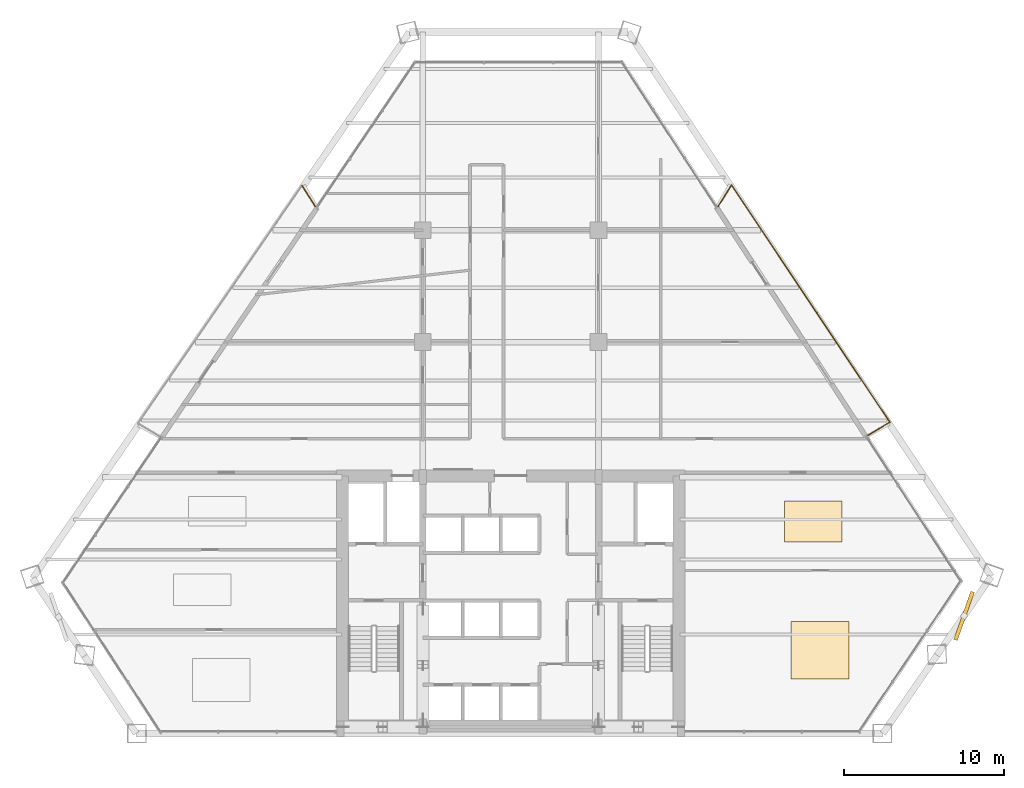
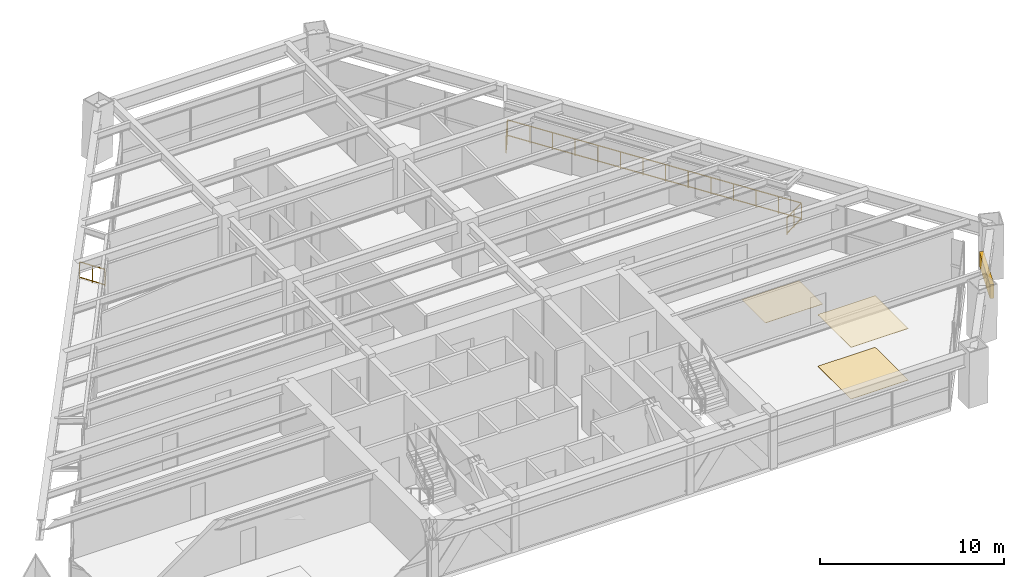
# One storey, part 14 of 14: 4 railings, 3 coverings, 1 shading device.
"""IFC4 building model written with IfcOpenShell, lengths in metres."""

from ifc_helpers import new_model, si_unit, direction, frame, origin, origin_2d, place, context, subcontext, project, spatial, rectangle, extrude, source, transform, mapped, material, layer, layer_set, type_object, type_shapes, element, save


model = new_model("IFC4")

# Units and contexts
model_context = context("Model", 3, precision=1e-05, world=origin(), true_north=direction((0.0, 1.0)))
body_context = subcontext(model_context, "Body", "Model", "MODEL_VIEW")
ifc_project = project(units=[si_unit("LENGTHUNIT", "METRE"), si_unit("AREAUNIT", "SQUARE_METRE"), si_unit("VOLUMEUNIT", "CUBIC_METRE"), si_unit("PLANEANGLEUNIT", "RADIAN"), si_unit("MASSUNIT", "GRAM", prefix="KILO")], contexts=[model_context])

# Site, building, storey
site_placement = place(None, origin())
site = spatial("IfcSite", under=ifc_project, at=site_placement, CompositionType="ELEMENT")
building_placement = place(site_placement, origin())
building = spatial("IfcBuilding", under=site, at=building_placement, Name="Varnakhor Terracotta Tower", CompositionType="ELEMENT")
storey_placement = place(building_placement, frame((0.0, 0.0, 80.300048828125)))
storey = spatial("IfcBuildingStorey", under=building, at=storey_placement, Name="L19", CompositionType="ELEMENT", Elevation=80.300048828125)

# Railings
ifc_material_1 = material(Name="Stainless Steel & Laminated Glass Guardrail", Category="steel")
railing_type = type_object("IfcRailingType", Name="RLG-LOGGIA-GUARD-1150", PredefinedType="GUARDRAIL", material=ifc_material_1)
railing_1_placement = place(storey_placement, frame((12.988037109375, 33.005615234375, 0.0)))
element("IfcRailing", 1, at=railing_1_placement, inside=storey, type_object=railing_type, Name="L19 E Loggia Glass Guard 1", PredefinedType="GUARDRAIL", context=body_context, shape_type="SweptSolid", body=[
    extrude(rectangle(XDim=0.048095703125, YDim=0.048095703125, at=origin_2d()), frame((0.0, 0.0, 1.1259765625), z_axis=(0.534973607155, 0.844868770666, 0.0), x_axis=(-0.844868770666, 0.534973607155, 0.0)), (0.0, 0.0, 1.0), 1.554443359375),
    extrude(rectangle(XDim=0.048095703125, YDim=0.048095703125, at=origin_2d()), frame((0.0, 0.0, 0.10009765625), z_axis=(0.534973607155, 0.844868770666, 0.0), x_axis=(-0.844868770666, 0.534973607155, 0.0)), (0.0, 0.0, 1.0), 1.554443359375),
    extrude(rectangle(XDim=0.0419921875, YDim=0.0419921875, at=origin_2d()), origin(), (0.0, 0.0, 1.0), 1.101806640625),
    extrude(rectangle(XDim=0.0419921875, YDim=0.0419921875, at=origin_2d()), frame((0.415771484375, 0.65673828125, 0.0)), (0.0, 0.0, 1.0), 1.101806640625),
    extrude(rectangle(XDim=0.0419921875, YDim=0.0419921875, at=origin_2d()), frame((0.83154296875, 1.313232421875, 0.0)), (0.0, 0.0, 1.0), 1.101806640625),
])
railing_2_placement = place(storey_placement, frame((13.819580078125, 34.31884765625, 0.0)))
element("IfcRailing", 2, at=railing_2_placement, inside=storey, type_object=railing_type, Name="L19 E Loggia Glass Guard 2", PredefinedType="GUARDRAIL", context=body_context, shape_type="SweptSolid", body=[
    extrude(rectangle(XDim=0.048095703125, YDim=0.048095703125, at=origin_2d()), frame((0.0, 0.0, 1.1259765625), z_axis=(0.555404385757, -0.831580403979, 0.0), x_axis=(0.831580403979, 0.555404385757, 0.0)), (0.0, 0.0, 1.0), 17.83642578125),
    extrude(rectangle(XDim=0.048095703125, YDim=0.048095703125, at=origin_2d()), frame((0.0, 0.0, 0.10009765625), z_axis=(0.555404385757, -0.831580403979, 0.0), x_axis=(0.831580403979, 0.555404385757, 0.0)), (0.0, 0.0, 1.0), 17.83642578125),
    extrude(rectangle(XDim=0.0419921875, YDim=0.0419921875, at=origin_2d()), origin(), (0.0, 0.0, 1.0), 1.101806640625),
    extrude(rectangle(XDim=0.0419921875, YDim=0.0419921875, at=origin_2d()), frame((0.761962890625, -1.140869140625, 0.0)), (0.0, 0.0, 1.0), 1.101806640625),
    extrude(rectangle(XDim=0.0419921875, YDim=0.0419921875, at=origin_2d()), frame((1.524169921875, -2.281982421875, 0.0)), (0.0, 0.0, 1.0), 1.101806640625),
    extrude(rectangle(XDim=0.0419921875, YDim=0.0419921875, at=origin_2d()), frame((2.2861328125, -3.4228515625, 0.0)), (0.0, 0.0, 1.0), 1.101806640625),
    extrude(rectangle(XDim=0.0419921875, YDim=0.0419921875, at=origin_2d()), frame((3.048095703125, -4.56396484375, 0.0)), (0.0, 0.0, 1.0), 1.101806640625),
    extrude(rectangle(XDim=0.0419921875, YDim=0.0419921875, at=origin_2d()), frame((3.810302734375, -5.704833984375, 0.0)), (0.0, 0.0, 1.0), 1.101806640625),
    extrude(rectangle(XDim=0.0419921875, YDim=0.0419921875, at=origin_2d()), frame((4.572265625, -6.845703125, 0.0)), (0.0, 0.0, 1.0), 1.101806640625),
    extrude(rectangle(XDim=0.0419921875, YDim=0.0419921875, at=origin_2d()), frame((5.334228515625, -7.98681640625, 0.0)), (0.0, 0.0, 1.0), 1.101806640625),
    extrude(rectangle(XDim=0.0419921875, YDim=0.0419921875, at=origin_2d()), frame((6.09619140625, -9.127685546875, 0.0)), (0.0, 0.0, 1.0), 1.101806640625),
    extrude(rectangle(XDim=0.0419921875, YDim=0.0419921875, at=origin_2d()), frame((6.8583984375, -10.2685546875, 0.0)), (0.0, 0.0, 1.0), 1.101806640625),
    extrude(rectangle(XDim=0.0419921875, YDim=0.0419921875, at=origin_2d()), frame((7.620361328125, -11.40966796875, 0.0)), (0.0, 0.0, 1.0), 1.101806640625),
    extrude(rectangle(XDim=0.0419921875, YDim=0.0419921875, at=origin_2d()), frame((8.38232421875, -12.550537109375, 0.0)), (0.0, 0.0, 1.0), 1.101806640625),
    extrude(rectangle(XDim=0.0419921875, YDim=0.0419921875, at=origin_2d()), frame((9.14453125, -13.691650390625, 0.0)), (0.0, 0.0, 1.0), 1.101806640625),
    extrude(rectangle(XDim=0.0419921875, YDim=0.0419921875, at=origin_2d()), frame((9.906494140625, -14.83251953125, 0.0)), (0.0, 0.0, 1.0), 1.101806640625),
])
railing_3_placement = place(storey_placement, frame((23.72607421875, 19.486328125, 0.0)))
element("IfcRailing", 3, at=railing_3_placement, inside=storey, type_object=railing_type, Name="L19 E Loggia Glass Guard 3", PredefinedType="GUARDRAIL", context=body_context, shape_type="SweptSolid", body=[
    extrude(rectangle(XDim=0.048095703125, YDim=0.048095703125, at=origin_2d()), frame((0.0, 0.0, 1.1259765625), z_axis=(-0.858569421158, -0.512697326941, 0.0), x_axis=(0.512697326941, -0.858569421158, 0.0)), (0.0, 0.0, 1.0), 1.59814453125),
    extrude(rectangle(XDim=0.048095703125, YDim=0.048095703125, at=origin_2d()), frame((0.0, 0.0, 0.10009765625), z_axis=(-0.858569421158, -0.512697326941, 0.0), x_axis=(0.512697326941, -0.858569421158, 0.0)), (0.0, 0.0, 1.0), 1.59814453125),
    extrude(rectangle(XDim=0.0419921875, YDim=0.0419921875, at=origin_2d()), origin(), (0.0, 0.0, 1.0), 1.101806640625),
    extrude(rectangle(XDim=0.0419921875, YDim=0.0419921875, at=origin_2d()), frame((-0.68603515625, -0.40966796875, 0.0)), (0.0, 0.0, 1.0), 1.101806640625),
    extrude(rectangle(XDim=0.0419921875, YDim=0.0419921875, at=origin_2d()), frame((-1.3720703125, -0.8193359375, 0.0)), (0.0, 0.0, 1.0), 1.101806640625),
])
railing_4_placement = place(storey_placement, frame((-13.0654296875, 34.2919921875, 0.0)))
element("IfcRailing", 4, at=railing_4_placement, inside=storey, type_object=railing_type, Name="L19 W Loggia Glass Guard 3", PredefinedType="GUARDRAIL", context=body_context, shape_type="SweptSolid", body=[
    extrude(rectangle(XDim=0.048095703125, YDim=0.048095703125, at=origin_2d()), frame((0.0, 0.0, 1.1259765625), z_axis=(0.535940651062, -0.844255659465, 0.0), x_axis=(0.844255659465, 0.535940651062, 0.0)), (0.0, 0.0, 1.0), 1.55517578125),
    extrude(rectangle(XDim=0.048095703125, YDim=0.048095703125, at=origin_2d()), frame((0.0, 0.0, 0.10009765625), z_axis=(0.535940651062, -0.844255659465, 0.0), x_axis=(0.844255659465, 0.535940651062, 0.0)), (0.0, 0.0, 1.0), 1.55517578125),
    extrude(rectangle(XDim=0.0419921875, YDim=0.0419921875, at=origin_2d()), origin(), (0.0, 0.0, 1.0), 1.101806640625),
    extrude(rectangle(XDim=0.0419921875, YDim=0.0419921875, at=origin_2d()), frame((0.416748046875, -0.656494140625, 0.0)), (0.0, 0.0, 1.0), 1.101806640625),
    extrude(rectangle(XDim=0.0419921875, YDim=0.0419921875, at=origin_2d()), frame((0.83349609375, -1.31298828125, 0.0)), (0.0, 0.0, 1.0), 1.101806640625),
])

# Shading device
ifc_material_2 = material(Name="Extruded Architectural Terracotta Screen", Category="masonry")
shading_device_type = type_object("IfcShadingDeviceType", Name="TERRACOTTA SOLAR SCREEN E", PredefinedType="USERDEFINED", material=ifc_material_2)
shared_shape_1 = source(origin(), body_context, "Body", "SweptSolid", [
    extrude(rectangle(XDim=3.199951171875, YDim=0.239990234375, at=origin_2d()), origin(), (0.0, 0.0, 1.0), 0.919921875),
])
type_shapes(shading_device_type, [shared_shape_1])
shading_device_placement = place(storey_placement, frame((28.37548828125, 7.36328125, 1.617919921875), z_axis=(0.0, 0.0, 1.0), x_axis=(0.335287144599, 0.942115985782, 0.0)))
element("IfcShadingDevice", 5, at=shading_device_placement, inside=storey, type_object=shading_device_type, Name="L19 E Terracotta Solar Screen", ObjectType="SCREEN", PredefinedType="USERDEFINED", context=body_context, shape_type="MappedRepresentation", body=[
    mapped(shared_shape_1, transform((0.0, 0.0, 0.0), scale=1.0)),
])

# Coverings
ifc_material_3 = material(Name="Honed Riyadh Limestone Flooring", Category="masonry")
ifc_layer_1 = layer(ifc_material_3, 0.030029296875, Name="Honed Riyadh Limestone Flooring")
ifc_layer_set_1 = layer_set([ifc_layer_1], Name="Honed Riyadh Limestone Flooring")
covering_type_1 = type_object("IfcCoveringType", Name="COV-FLOOR-LIMESTONE", PredefinedType="FLOORING", material=ifc_layer_set_1)
shared_shape_2 = source(origin(), body_context, "Body", "SweptSolid", [
    extrude(rectangle(XDim=3.60009765625, YDim=3.60009765625, at=origin_2d()), origin(), (0.0, 0.0, 1.0), 0.02001953125),
])
covering_1_placement = place(storey_placement, frame((19.35791015625, 5.201904296875, 0.0), z_axis=(0.0, 0.0, 1.0), x_axis=(1.0, 0.0, 0.0)))
element("IfcCovering", 6, at=covering_1_placement, inside=storey, type_object=covering_type_1, Name="L19 Honed Stone Flooring 2", PredefinedType="FLOORING", context=body_context, shape_type="MappedRepresentation", body=[
    mapped(shared_shape_2, transform((0.0, 0.0, 0.0), scale=1.0)),
])
ifc_material_4 = material(Name="Perforated Acoustic Mineral-Fibre Ceiling", Category="gypsum")
ifc_layer_2 = layer(ifc_material_4, 0.02490234375, Name="Perforated Acoustic Mineral-Fibre Ceiling")
ifc_layer_set_2 = layer_set([ifc_layer_2], Name="Perforated Acoustic Mineral-Fibre Ceiling")
covering_type_2 = type_object("IfcCoveringType", Name="COV-CEILING-ACOUSTIC", PredefinedType="CEILING", material=ifc_layer_set_2)
shared_shape_3 = source(origin(), body_context, "Body", "SweptSolid", [
    extrude(rectangle(XDim=3.60009765625, YDim=3.60009765625, at=origin_2d()), origin(), (0.0, 0.0, 1.0), 0.02392578125),
])
covering_2_placement = place(storey_placement, frame((19.35791015625, 5.201904296875, 3.426025390625), z_axis=(0.0, 0.0, 1.0), x_axis=(1.0, 0.0, 0.0)))
element("IfcCovering", 7, at=covering_2_placement, inside=storey, type_object=covering_type_2, Name="L19 Acoustic Ceiling Panel 2", PredefinedType="CEILING", context=body_context, shape_type="MappedRepresentation", body=[
    mapped(shared_shape_3, transform((0.0, 0.0, 0.0), scale=1.0)),
])
shared_shape_4 = source(origin(), body_context, "Body", "SweptSolid", [
    extrude(rectangle(XDim=3.60009765625, YDim=2.572021484375, at=origin_2d()), origin(), (0.0, 0.0, 1.0), 0.02001953125),
])
covering_3_placement = place(storey_placement, frame((18.93505859375, 13.263916015625, 0.0), z_axis=(0.0, 0.0, 1.0), x_axis=(1.0, 0.0, 0.0)))
element("IfcCovering", 8, at=covering_3_placement, inside=storey, type_object=covering_type_1, Name="L19 Honed Stone Flooring 4", PredefinedType="FLOORING", context=body_context, shape_type="MappedRepresentation", body=[
    mapped(shared_shape_4, transform((0.0, 0.0, 0.0), scale=1.0)),
])

save(model, "model.ifc")
